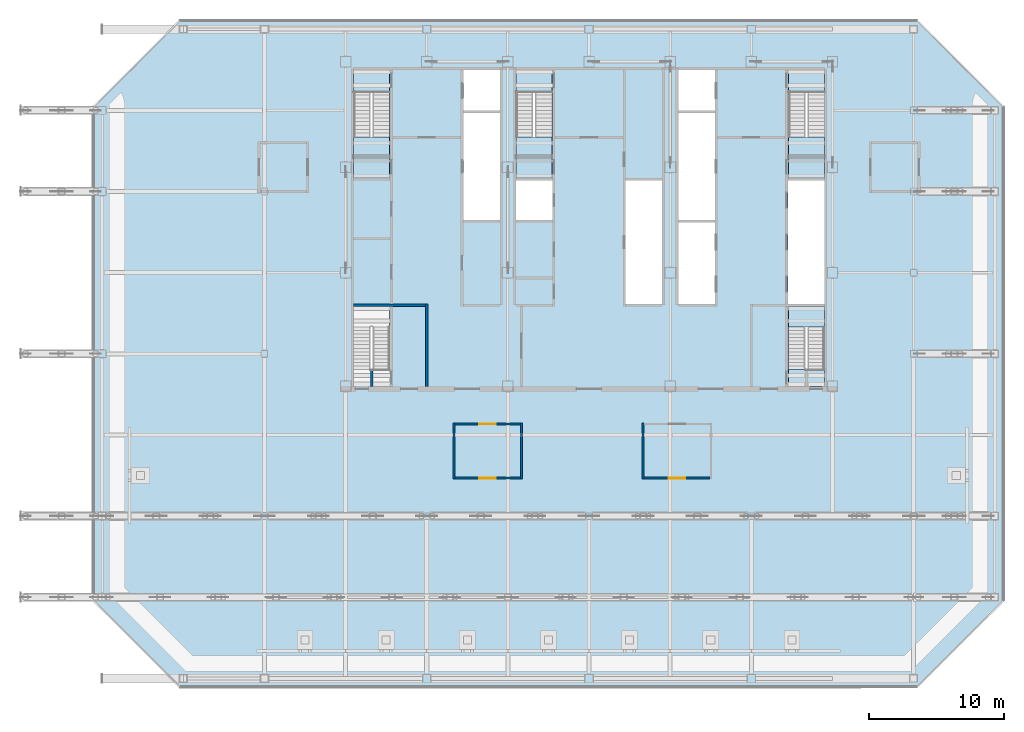
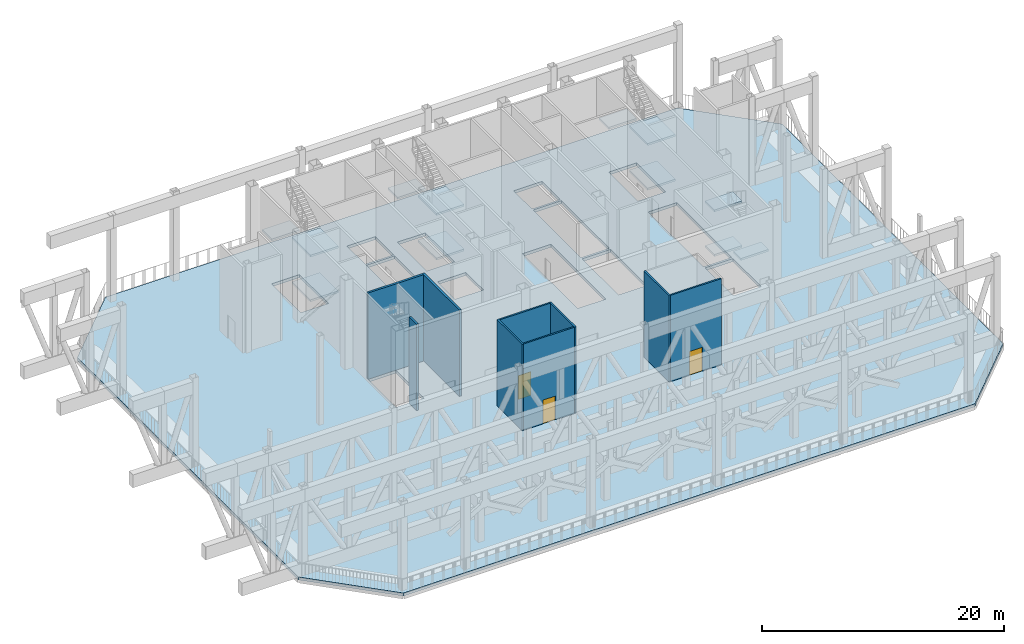
# One storey, part 6 of 22: 13 slabs, 9 walls, 3 doors, 3 openings, 4 elements without a shape of their own.
"""IFC4 building model written with IfcOpenShell, lengths in metres."""

from ifc_helpers import new_model, si_unit, direction, frame, frame_2d, origin, place, context, subcontext, project, spatial, polyline, rectangle, outline, extrude, material, layer, layer_set, type_object, element, fill, aggregate, save


model = new_model("IFC4")

# Units and contexts
model_context = context("Model", 3, precision=1e-05, world=origin(), true_north=direction((0.0, 1.0)))
body_context = subcontext(model_context, "Body", "Model", "MODEL_VIEW")
ifc_project = project(units=[si_unit("LENGTHUNIT", "METRE"), si_unit("AREAUNIT", "SQUARE_METRE"), si_unit("VOLUMEUNIT", "CUBIC_METRE"), si_unit("PLANEANGLEUNIT", "RADIAN"), si_unit("MASSUNIT", "GRAM", prefix="KILO")], contexts=[model_context])

# Site, building, storey
site_placement = place(None, origin())
site = spatial("IfcSite", under=ifc_project, at=site_placement, CompositionType="ELEMENT")
building_placement = place(site_placement, origin())
building = spatial("IfcBuilding", under=site, at=building_placement, Name="Sorahane Residences", CompositionType="ELEMENT")
storey_placement = place(building_placement, frame((0.0, 0.0, 281.800048828125)))
storey = spatial("IfcBuildingStorey", under=building, at=storey_placement, Name="L67", CompositionType="ELEMENT", Elevation=281.800048828125)

# Slab
ifc_material_1 = material(Name="Concrete C35", Category="concrete")
ifc_layer_1 = layer(ifc_material_1, 0.300048828125)
ifc_layer_set_1 = layer_set([ifc_layer_1], Name="Composite floor slab 300 mm Concrete C35")
slab_type_1 = type_object("IfcSlabType", Name="Composite floor slab 300 mm Concrete C35", PredefinedType="FLOOR", material=ifc_layer_set_1)
slab_1_placement = place(storey_placement, frame((0.0, 0.0, -0.300048828125)))
element("IfcSlab", 1, at=slab_1_placement, inside=storey, type_object=slab_type_1, Name="Slab L67", PredefinedType="FLOOR", context=body_context, shape_type="SweptSolid", body=[
    extrude(outline(polyline([(-6.24853515625, -0.60009765625), (-12.60009765625, 5.75146484375), (-12.60009765625, 42.24853515625), (-6.24853515625, 48.60009765625), (48.24853515625, 48.60009765625), (54.60009765625, 42.24853515625), (54.60009765625, 5.75146484375), (48.24853515625, -0.60009765625), (-6.24853515625, -0.60009765625)]), holes=[polyline([(38.699951171875, 27.699951171875), (41.39990234375, 27.699951171875), (41.39990234375, 36.800048828125), (38.699951171875, 36.800048828125), (38.699951171875, 27.699951171875)]), polyline([(30.60009765625, 27.699951171875), (33.300048828125, 27.699951171875), (33.300048828125, 33.699951171875), (30.60009765625, 33.699951171875), (30.60009765625, 27.699951171875)]), polyline([(30.60009765625, 42.0), (33.300048828125, 42.0), (33.300048828125, 45.0), (30.60009765625, 45.0), (30.60009765625, 42.0)]), polyline([(14.699951171875, 42.0), (17.39990234375, 42.0), (17.39990234375, 45.0), (14.699951171875, 45.0), (14.699951171875, 42.0)]), polyline([(9.25, 38.60009765625), (6.60009765625, 38.60009765625), (6.60009765625, 43.39990234375), (9.25, 43.39990234375), (9.25, 38.60009765625)]), polyline([(41.39990234375, 38.60009765625), (38.75, 38.60009765625), (38.75, 43.39990234375), (41.39990234375, 43.39990234375), (41.39990234375, 38.60009765625)]), polyline([(21.25, 38.60009765625), (18.60009765625, 38.60009765625), (18.60009765625, 43.39990234375), (21.25, 43.39990234375), (21.25, 38.60009765625)]), polyline([(6.60009765625, 27.5), (9.25, 27.5), (9.25, 22.85009765625), (6.60009765625, 22.85009765625), (6.60009765625, 27.5)]), polyline([(38.75, 27.5), (41.39990234375, 27.5), (41.39990234375, 22.85009765625), (38.75, 22.85009765625), (38.75, 27.5)]), polyline([(14.699951171875, 33.89990234375), (17.39990234375, 33.89990234375), (17.39990234375, 41.800048828125), (14.699951171875, 41.800048828125), (14.699951171875, 33.89990234375)]), polyline([(30.60009765625, 33.89990234375), (33.300048828125, 33.89990234375), (33.300048828125, 41.800048828125), (30.60009765625, 41.800048828125), (30.60009765625, 33.89990234375)]), polyline([(18.60009765625, 33.89990234375), (21.300048828125, 33.89990234375), (21.300048828125, 36.800048828125), (18.60009765625, 36.800048828125), (18.60009765625, 33.89990234375)]), polyline([(26.699951171875, 27.699951171875), (29.39990234375, 27.699951171875), (29.39990234375, 36.800048828125), (26.699951171875, 36.800048828125), (26.699951171875, 27.699951171875)])]), origin(), (0.0, 0.0, 1.0), 0.300048828125),
])

# Stair, slabs
ifc_material_2 = material(Name="Concrete C40", Category="concrete")
stair_type = type_object("IfcStairType", Name="Dog-leg stair 1250 Concrete C40", PredefinedType="HALF_TURN_STAIR", material=ifc_material_2)
stair_1_placement = place(storey_placement, origin())
stair_1 = element("IfcStair", 2, at=stair_1_placement, inside=storey, type_object=stair_type, Name="L67 Stair S1", PredefinedType="HALF_TURN_STAIR")
ifc_material_3 = material(Name="Concrete C40", Category="concrete")
ifc_layer_2 = layer(ifc_material_3, 0.199951171875)
ifc_layer_set_2 = layer_set([ifc_layer_2], Name="Stair landing 200 Concrete C40")
slab_type_2 = type_object("IfcSlabType", Name="Stair landing 200 Concrete C40", PredefinedType="LANDING", material=ifc_layer_set_2)
slab_2_placement = place(storey_placement, frame((0.0, 0.0, 2.050048828125)))
slab_2 = element("IfcSlab", 3, at=slab_2_placement, type_object=slab_type_2, Name="S1 landing 1", PredefinedType="LANDING", context=body_context, shape_type="SweptSolid", body=[
    extrude(outline(polyline([(6.60009765625, 40.0400390625), (6.60009765625, 37.0), (9.25, 37.0), (9.25, 40.0400390625), (6.60009765625, 40.0400390625)])), origin(), (0.0, 0.0, 1.0), 0.199951171875),
])
slab_3_placement = place(storey_placement, frame((0.0, 0.0, 4.300048828125)))
slab_3 = element("IfcSlab", 4, at=slab_3_placement, type_object=slab_type_2, Name="S1 landing 2", PredefinedType="LANDING", context=body_context, shape_type="SweptSolid", body=[
    extrude(outline(polyline([(6.60009765625, 45.0), (6.60009765625, 43.39990234375), (9.25, 43.39990234375), (9.25, 45.0), (6.60009765625, 45.0)])), origin(), (0.0, 0.0, 1.0), 0.199951171875),
])
slab_4_placement = place(storey_placement, frame((0.0, 0.0, 6.550048828125)))
slab_4 = element("IfcSlab", 5, at=slab_4_placement, type_object=slab_type_2, Name="S1 landing 3", PredefinedType="LANDING", context=body_context, shape_type="SweptSolid", body=[
    extrude(outline(polyline([(6.60009765625, 40.0400390625), (6.60009765625, 37.0), (9.25, 37.0), (9.25, 40.0400390625), (6.60009765625, 40.0400390625)])), origin(), (0.0, 0.0, 1.0), 0.199951171875),
])
aggregate(stair_1, [slab_2, slab_3, slab_4])

stair_2_placement = place(storey_placement, origin())
stair_2 = element("IfcStair", 6, at=stair_2_placement, inside=storey, type_object=stair_type, Name="L67 Stair S2", PredefinedType="HALF_TURN_STAIR")
slab_5_placement = place(storey_placement, frame((0.0, 0.0, 2.050048828125)))
slab_5 = element("IfcSlab", 7, at=slab_5_placement, type_object=slab_type_2, Name="S2 landing 1", PredefinedType="LANDING", context=body_context, shape_type="SweptSolid", body=[
    extrude(outline(polyline([(38.75, 40.0400390625), (38.75, 37.0), (41.39990234375, 37.0), (41.39990234375, 40.0400390625), (38.75, 40.0400390625)])), origin(), (0.0, 0.0, 1.0), 0.199951171875),
])
slab_6_placement = place(storey_placement, frame((0.0, 0.0, 4.300048828125)))
slab_6 = element("IfcSlab", 8, at=slab_6_placement, type_object=slab_type_2, Name="S2 landing 2", PredefinedType="LANDING", context=body_context, shape_type="SweptSolid", body=[
    extrude(outline(polyline([(38.75, 45.0), (38.75, 43.39990234375), (41.39990234375, 43.39990234375), (41.39990234375, 45.0), (38.75, 45.0)])), origin(), (0.0, 0.0, 1.0), 0.199951171875),
])
slab_7_placement = place(storey_placement, frame((0.0, 0.0, 6.550048828125)))
slab_7 = element("IfcSlab", 9, at=slab_7_placement, type_object=slab_type_2, Name="S2 landing 3", PredefinedType="LANDING", context=body_context, shape_type="SweptSolid", body=[
    extrude(outline(polyline([(38.75, 40.0400390625), (38.75, 37.0), (41.39990234375, 37.0), (41.39990234375, 40.0400390625), (38.75, 40.0400390625)])), origin(), (0.0, 0.0, 1.0), 0.199951171875),
])
aggregate(stair_2, [slab_5, slab_6, slab_7])

stair_3_placement = place(storey_placement, origin())
stair_3 = element("IfcStair", 10, at=stair_3_placement, inside=storey, type_object=stair_type, Name="L67 Stair S3", PredefinedType="HALF_TURN_STAIR")
slab_8_placement = place(storey_placement, frame((0.0, 0.0, 2.050048828125)))
slab_8 = element("IfcSlab", 11, at=slab_8_placement, type_object=slab_type_2, Name="S3 landing 1", PredefinedType="LANDING", context=body_context, shape_type="SweptSolid", body=[
    extrude(outline(polyline([(18.60009765625, 40.0400390625), (18.60009765625, 37.0), (21.25, 37.0), (21.25, 40.0400390625), (18.60009765625, 40.0400390625)])), origin(), (0.0, 0.0, 1.0), 0.199951171875),
])
slab_9_placement = place(storey_placement, frame((0.0, 0.0, 4.300048828125)))
slab_9 = element("IfcSlab", 12, at=slab_9_placement, type_object=slab_type_2, Name="S3 landing 2", PredefinedType="LANDING", context=body_context, shape_type="SweptSolid", body=[
    extrude(outline(polyline([(18.60009765625, 45.0), (18.60009765625, 43.39990234375), (21.25, 43.39990234375), (21.25, 45.0), (18.60009765625, 45.0)])), origin(), (0.0, 0.0, 1.0), 0.199951171875),
])
slab_10_placement = place(storey_placement, frame((0.0, 0.0, 6.550048828125)))
slab_10 = element("IfcSlab", 13, at=slab_10_placement, type_object=slab_type_2, Name="S3 landing 3", PredefinedType="LANDING", context=body_context, shape_type="SweptSolid", body=[
    extrude(outline(polyline([(18.60009765625, 40.0400390625), (18.60009765625, 37.0), (21.25, 37.0), (21.25, 40.0400390625), (18.60009765625, 40.0400390625)])), origin(), (0.0, 0.0, 1.0), 0.199951171875),
])
aggregate(stair_3, [slab_8, slab_9, slab_10])

stair_4_placement = place(storey_placement, origin())
stair_4 = element("IfcStair", 14, at=stair_4_placement, inside=storey, type_object=stair_type, Name="L67 Stair S5", PredefinedType="HALF_TURN_STAIR")
slab_11_placement = place(storey_placement, frame((0.0, 0.0, 2.050048828125)))
slab_11 = element("IfcSlab", 15, at=slab_11_placement, type_object=slab_type_2, Name="S5 landing 1", PredefinedType="LANDING", context=body_context, shape_type="SweptSolid", body=[
    extrude(outline(polyline([(41.39990234375, 25.969970703125), (41.39990234375, 27.5), (38.75, 27.5), (38.75, 25.969970703125), (41.39990234375, 25.969970703125)])), origin(), (0.0, 0.0, 1.0), 0.199951171875),
])
slab_12_placement = place(storey_placement, frame((0.0, 0.0, 4.300048828125)))
slab_12 = element("IfcSlab", 16, at=slab_12_placement, type_object=slab_type_2, Name="S5 landing 2", PredefinedType="LANDING", context=body_context, shape_type="SweptSolid", body=[
    extrude(outline(polyline([(41.39990234375, 21.60009765625), (41.39990234375, 22.85009765625), (38.75, 22.85009765625), (38.75, 21.60009765625), (41.39990234375, 21.60009765625)])), origin(), (0.0, 0.0, 1.0), 0.199951171875),
])
slab_13_placement = place(storey_placement, frame((0.0, 0.0, 6.550048828125)))
slab_13 = element("IfcSlab", 17, at=slab_13_placement, type_object=slab_type_2, Name="S5 landing 3", PredefinedType="LANDING", context=body_context, shape_type="SweptSolid", body=[
    extrude(outline(polyline([(41.39990234375, 25.969970703125), (41.39990234375, 27.5), (38.75, 27.5), (38.75, 25.969970703125), (41.39990234375, 25.969970703125)])), origin(), (0.0, 0.0, 1.0), 0.199951171875),
])
aggregate(stair_4, [slab_11, slab_12, slab_13])

# Walls
ifc_material_4 = material(Name="White painted Concrete C30", Category="concrete")
ifc_layer_3 = layer(ifc_material_4, 0.199951171875)
ifc_layer_set_3 = layer_set([ifc_layer_3], Name="Front room wall painted white 200 EI 120")
wall_type_1 = type_object("IfcWallType", Name="Front room wall painted white 200 EI 120", PredefinedType="PARTITIONING", material=ifc_layer_set_3)
wall_1_placement = place(storey_placement, frame((12.0, 21.60009765625, 0.0), z_axis=(0.0, 0.0, 1.0), x_axis=(0.0, 1.0, 0.0)))
element("IfcWall", 18, at=wall_1_placement, inside=storey, type_object=wall_type_1, Name="L67 front room wall", PredefinedType="PARTITIONING", context=body_context, shape_type="SweptSolid", body=[
    extrude(rectangle(XDim=6.099853515625, YDim=0.199951171875, at=frame_2d((3.0498046875, 0.0))), origin(), (0.0, 0.0, 1.0), 8.699951171875),
])
ifc_material_5 = material(Name="Gypsum board partition on steel studs", Category="steel")
ifc_layer_4 = layer(ifc_material_5, 0.14990234375)
ifc_layer_set_4 = layer_set([ifc_layer_4], Name="Partition 150 EI 90")
wall_type_2 = type_object("IfcWallType", Name="Partition 150 EI 90", PredefinedType="PARTITIONING", material=ifc_layer_set_4)
for number, where, z_axis, x_axis, name in (
    (19, (14.0, 14.72509765625, 0.0), (0.0, 0.0, 1.0), (0.0, 1.0, 0.0), "L67 partition"),
    (20, (19.0, 14.72509765625, 0.0), (0.0, 0.0, 1.0), (0.0, 1.0, 0.0), "L67 partition"),
    (21, (28.0, 14.72509765625, 0.0), (0.0, 0.0, 1.0), (0.0, 1.0, 0.0), "L67 partition"),
):
    element("IfcWall", number, at=place(storey_placement, frame(where, z_axis=z_axis, x_axis=x_axis)), inside=storey, type_object=wall_type_2, Name=name, PredefinedType="PARTITIONING", context=body_context, shape_type="SweptSolid", body=[
        extrude(rectangle(XDim=4.14990234375, YDim=0.14990234375, at=frame_2d((2.074951171875, 0.0))), origin(), (0.0, 0.0, 1.0), 8.699951171875),
    ])

# Wall, opening, door
wall_2_placement = place(storey_placement, frame((14.074951171875, 14.800048828125, 0.0), z_axis=(0.0, 0.0, 1.0), x_axis=(1.0, 0.0, 0.0)))
wall_2 = element("IfcWall", 22, at=wall_2_placement, inside=storey, type_object=wall_type_2, Name="L67 partition", PredefinedType="PARTITIONING", context=body_context, shape_type="SweptSolid", body=[
    extrude(rectangle(XDim=4.85009765625, YDim=0.14990234375, at=frame_2d((2.425048828125, 0.0))), origin(), (0.0, 0.0, 1.0), 8.699951171875),
])
opening_1_placement = place(wall_2_placement, frame((1.824951171875, 0.0, 0.0)))
opening_1 = element("IfcOpeningElement", 23, at=opening_1_placement, cuts=wall_2, Name="Opening L67-06", PredefinedType="OPENING", context=body_context, shape_type="SweptSolid", body=[
    extrude(rectangle(XDim=1.199951171875, YDim=2.39990234375, at=frame_2d((0.60009765625, 1.199951171875))), frame((0.0, 0.0849609375, 0.0), z_axis=(0.0, -1.0, 0.0), x_axis=(1.0, 0.0, 0.0)), (0.0, 0.0, 1.0), 0.169921875),
])
ifc_material_6 = material(Name="Timber veneered fire door", Category="wood")
door_type = type_object("IfcDoorType", Name="Room door 1200x2400 FD30", OperationType="NOTDEFINED", PredefinedType="DOOR", material=ifc_material_6)
door_1_placement = place(opening_1_placement, origin())
door_1 = element("IfcDoor", 24, at=door_1_placement, inside=storey, type_object=door_type, Name="Room door L67-06", OperationType="SINGLE_SWING_RIGHT", OverallHeight=2.39990234375, OverallWidth=1.199951171875, PredefinedType="DOOR", context=body_context, shape_type="SweptSolid", body=[
    extrude(rectangle(XDim=1.199951171875, YDim=2.39990234375, at=frame_2d((0.60009765625, 1.199951171875))), frame((0.0, 0.02490234375, 0.0), z_axis=(0.0, -1.0, 0.0), x_axis=(1.0, 0.0, 0.0)), (0.0, 0.0, 1.0), 0.050048828125),
])
fill(opening_1, door_1)

wall_3_placement = place(storey_placement, frame((28.074951171875, 14.800048828125, 0.0), z_axis=(0.0, 0.0, 1.0), x_axis=(1.0, 0.0, 0.0)))
wall_3 = element("IfcWall", 25, at=wall_3_placement, inside=storey, type_object=wall_type_2, Name="L67 partition", PredefinedType="PARTITIONING", context=body_context, shape_type="SweptSolid", body=[
    extrude(rectangle(XDim=4.85009765625, YDim=0.14990234375, at=frame_2d((2.425048828125, 0.0))), origin(), (0.0, 0.0, 1.0), 8.699951171875),
])
opening_2_placement = place(wall_3_placement, frame((1.824951171875, 0.0, 0.0)))
opening_2 = element("IfcOpeningElement", 26, at=opening_2_placement, cuts=wall_3, Name="Opening L67-08", PredefinedType="OPENING", context=body_context, shape_type="SweptSolid", body=[
    extrude(rectangle(XDim=1.199951171875, YDim=2.39990234375, at=frame_2d((0.60009765625, 1.199951171875))), frame((0.0, 0.0849609375, 0.0), z_axis=(0.0, -1.0, 0.0), x_axis=(1.0, 0.0, 0.0)), (0.0, 0.0, 1.0), 0.169921875),
])
door_2_placement = place(opening_2_placement, frame((1.199951171875, 0.0, 0.0), z_axis=(0.0, 0.0, 1.0), x_axis=(-1.0, 0.0, 0.0)))
door_2 = element("IfcDoor", 27, at=door_2_placement, inside=storey, type_object=door_type, Name="Room door L67-08", OperationType="SINGLE_SWING_LEFT", OverallHeight=2.39990234375, OverallWidth=1.199951171875, PredefinedType="DOOR", context=body_context, shape_type="SweptSolid", body=[
    extrude(rectangle(XDim=1.199951171875, YDim=2.39990234375, at=frame_2d((0.60009765625, 1.199951171875))), frame((0.0, 0.02490234375, 0.0), z_axis=(0.0, -1.0, 0.0), x_axis=(1.0, 0.0, 0.0)), (0.0, 0.0, 1.0), 0.050048828125),
])
fill(opening_2, door_2)

wall_4_placement = place(storey_placement, frame((14.074951171875, 18.800048828125, 0.0), z_axis=(0.0, 0.0, 1.0), x_axis=(1.0, 0.0, 0.0)))
wall_4 = element("IfcWall", 28, at=wall_4_placement, inside=storey, type_object=wall_type_2, Name="L67 partition", PredefinedType="PARTITIONING", context=body_context, shape_type="SweptSolid", body=[
    extrude(rectangle(XDim=4.85009765625, YDim=0.14990234375, at=frame_2d((2.425048828125, 0.0))), origin(), (0.0, 0.0, 1.0), 8.699951171875),
])
opening_3_placement = place(wall_4_placement, frame((1.824951171875, 0.0, 0.0)))
opening_3 = element("IfcOpeningElement", 29, at=opening_3_placement, cuts=wall_4, Name="Opening L67-05", PredefinedType="OPENING", context=body_context, shape_type="SweptSolid", body=[
    extrude(rectangle(XDim=1.199951171875, YDim=2.39990234375, at=frame_2d((0.60009765625, 1.199951171875))), frame((0.0, 0.0849609375, 0.0), z_axis=(0.0, -1.0, 0.0), x_axis=(1.0, 0.0, 0.0)), (0.0, 0.0, 1.0), 0.169921875),
])
door_3_placement = place(opening_3_placement, origin())
door_3 = element("IfcDoor", 30, at=door_3_placement, inside=storey, type_object=door_type, Name="Room door L67-05", OperationType="SINGLE_SWING_LEFT", OverallHeight=2.39990234375, OverallWidth=1.199951171875, PredefinedType="DOOR", context=body_context, shape_type="SweptSolid", body=[
    extrude(rectangle(XDim=1.199951171875, YDim=2.39990234375, at=frame_2d((0.60009765625, 1.199951171875))), frame((0.0, 0.02490234375, 0.0), z_axis=(0.0, -1.0, 0.0), x_axis=(1.0, 0.0, 0.0)), (0.0, 0.0, 1.0), 0.050048828125),
])
fill(opening_3, door_3)

# Walls
ifc_material_7 = material(Name="White painted Concrete C30", Category="concrete")
ifc_layer_5 = layer(ifc_material_7, 0.199951171875)
ifc_layer_set_5 = layer_set([ifc_layer_5], Name="Stair enclosure wall painted white 200 EI 120")
wall_type_3 = type_object("IfcWallType", Name="Stair enclosure wall painted white 200 EI 120", PredefinedType="SOLIDWALL", material=ifc_layer_set_5)
wall_5_placement = place(storey_placement, frame((7.925048828125, 21.60009765625, 0.0), z_axis=(0.0, 0.0, 1.0), x_axis=(0.0, 1.0, 0.0)))
element("IfcWall", 31, at=wall_5_placement, inside=storey, type_object=wall_type_3, Name="L67 stair enclosure wall", PredefinedType="SOLIDWALL", context=body_context, shape_type="SweptSolid", body=[
    extrude(rectangle(XDim=1.25, YDim=0.199951171875, at=frame_2d((0.625, 0.0))), origin(), (0.0, 0.0, 1.0), 8.699951171875),
])
wall_6_placement = place(storey_placement, frame((6.60009765625, 27.60009765625, 0.0), z_axis=(0.0, 0.0, 1.0), x_axis=(1.0, 0.0, 0.0)))
element("IfcWall", 32, at=wall_6_placement, inside=storey, type_object=wall_type_3, Name="L67 stair enclosure wall", PredefinedType="SOLIDWALL", context=body_context, shape_type="SweptSolid", body=[
    extrude(rectangle(XDim=5.2998046875, YDim=0.199951171875, at=frame_2d((2.64990234375, 0.0))), origin(), (0.0, 0.0, 1.0), 8.699951171875),
])

save(model, "model.ifc")
